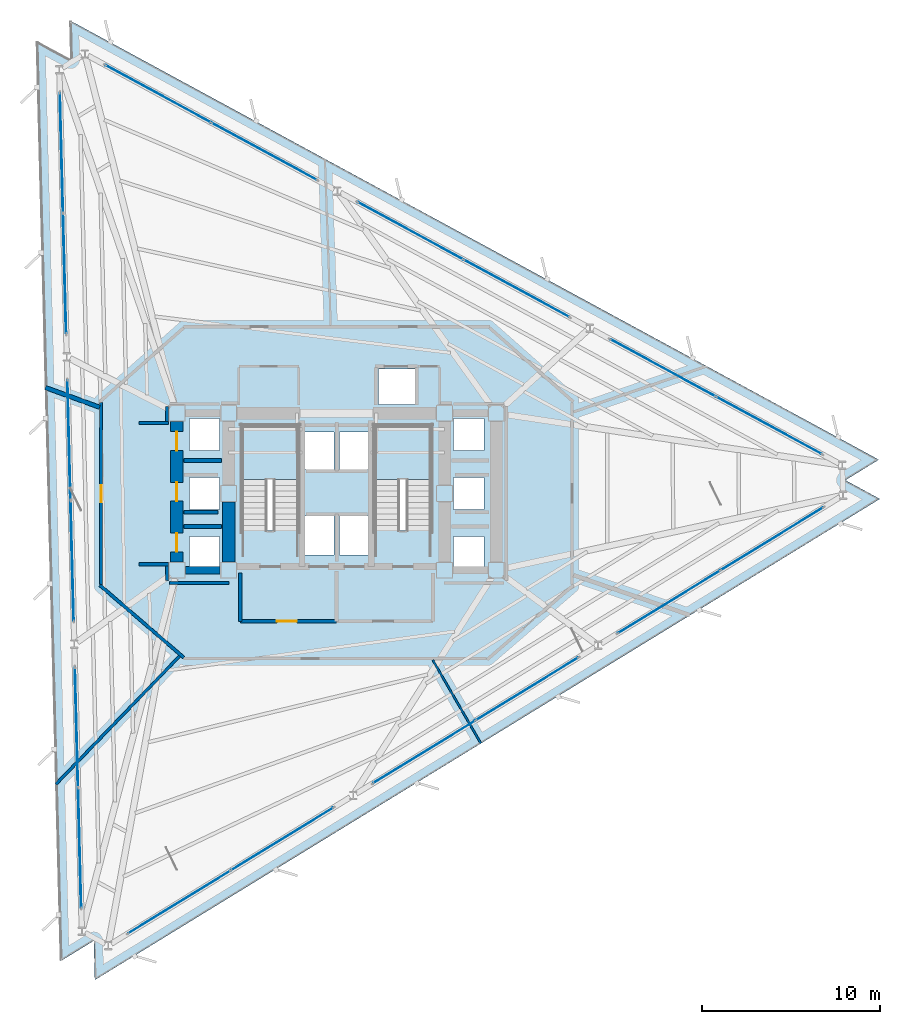
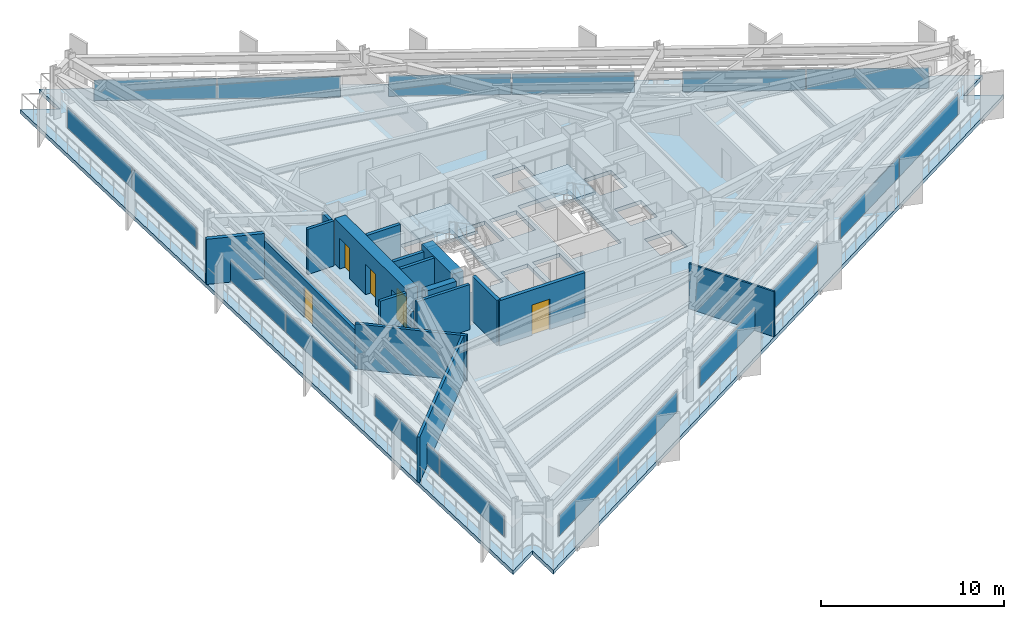
# One storey, part 7 of 14: 18 plates, 18 walls, 5 doors, 3 slabs, 5 openings, 11 elements without a shape of their own.
"""IFC4 building model written with IfcOpenShell, lengths in metres."""

from ifc_helpers import new_model, si_unit, direction, frame, frame_2d, origin, origin_2d, place, context, subcontext, project, spatial, polyline, rectangle, outline, extrude, material, layer, layer_set, type_object, element, fill, aggregate, save


model = new_model("IFC4")

# Units and contexts
model_context = context("Model", 3, precision=1e-05, world=origin(), true_north=direction((0.0, 1.0)))
body_context = subcontext(model_context, "Body", "Model", "MODEL_VIEW")
ifc_project = project(units=[si_unit("LENGTHUNIT", "METRE"), si_unit("AREAUNIT", "SQUARE_METRE"), si_unit("VOLUMEUNIT", "CUBIC_METRE"), si_unit("PLANEANGLEUNIT", "RADIAN"), si_unit("MASSUNIT", "GRAM", prefix="KILO")], contexts=[model_context])

# Site, building, storey
site_placement = place(None, origin())
site = spatial("IfcSite", under=ifc_project, at=site_placement, CompositionType="ELEMENT")
building_placement = place(site_placement, origin())
building = spatial("IfcBuilding", under=site, at=building_placement, Name="Rocaltana Carrier Exchange", CompositionType="ELEMENT")
storey_placement = place(building_placement, frame((0.0, 0.0, 42.39990234375)))
storey = spatial("IfcBuildingStorey", under=building, at=storey_placement, Name="L13", CompositionType="ELEMENT", Elevation=42.39990234375)

# Curtain wall, plates
ifc_material_1 = material(Name="Aluminium 6063-T6", Category="aluminium")
ifc_layer_1 = layer(ifc_material_1, 0.179931640625)
ifc_layer_set_1 = layer_set([ifc_layer_1], Name="Aluminium 6063-T6")
curtain_wall_type = type_object("IfcCurtainWallType", Name="Sandstone Spandrel Unitised Curtain Wall CW-01", PredefinedType="NOTDEFINED", material=ifc_layer_set_1)
curtain_wall_1_placement = place(storey_placement, origin())
curtain_wall_1 = element("IfcCurtainWall", 1, at=curtain_wall_1_placement, inside=storey, type_object=curtain_wall_type, Name="L13 CW-01 Run CW-L13-F1S1", PredefinedType="NOTDEFINED")
ifc_material_2 = material(Name="Tempered Laminated Glass", Category="glass")
ifc_layer_2 = layer(ifc_material_2, 0.0439453125)
ifc_layer_set_2 = layer_set([ifc_layer_2], Name="Tempered Laminated Glass")
plate_type = type_object("IfcPlateType", Name="CW-01 Stone-Insulated Vision Panel", PredefinedType="CURTAIN_PANEL", material=ifc_layer_set_2)
plate_1_placement = place(storey_placement, frame((24.23974609375, 3.8115234375, 0.06494140625), z_axis=(0.0, 0.0, 1.0), x_axis=(-0.878815639636, 0.477161473226, 0.0)))
plate_1 = element("IfcPlate", 2, at=plate_1_placement, type_object=plate_type, Name="CW-01 panel 1.1", PredefinedType="CURTAIN_PANEL", context=body_context, shape_type="SweptSolid", body=[
    extrude(rectangle(XDim=6.702392578125, YDim=0.0439453125, at=origin_2d()), origin(), (0.0, 0.0, 1.0), 1.367919921875),
])
plate_2_placement = place(storey_placement, frame((18.29248046875, 7.04052734375, 0.06494140625), z_axis=(0.0, 0.0, 1.0), x_axis=(-0.878815639636, 0.477161473226, 0.0)))
plate_2 = element("IfcPlate", 3, at=plate_2_placement, type_object=plate_type, Name="CW-01 panel 2.1", PredefinedType="CURTAIN_PANEL", context=body_context, shape_type="SweptSolid", body=[
    extrude(rectangle(XDim=6.702392578125, YDim=0.0439453125, at=origin_2d()), origin(), (0.0, 0.0, 1.0), 1.367919921875),
])
aggregate(curtain_wall_1, [plate_1, plate_2])

curtain_wall_2_placement = place(storey_placement, origin())
curtain_wall_2 = element("IfcCurtainWall", 4, at=curtain_wall_2_placement, inside=storey, type_object=curtain_wall_type, Name="L13 CW-01 Run CW-L13-F1S2", PredefinedType="NOTDEFINED")
plate_3_placement = place(storey_placement, frame((10.0908203125, 11.49365234375, 0.06494140625), z_axis=(0.0, 0.0, 1.0), x_axis=(-0.878814230428, 0.477164068636, 0.0)))
plate_3 = element("IfcPlate", 5, at=plate_3_placement, type_object=plate_type, Name="CW-01 panel 1.1", PredefinedType="CURTAIN_PANEL", context=body_context, shape_type="SweptSolid", body=[
    extrude(rectangle(XDim=6.70263671875, YDim=0.0439453125, at=origin_2d()), origin(), (0.0, 0.0, 1.0), 1.367919921875),
])
plate_4_placement = place(storey_placement, frame((4.1435546875, 14.722900390625, 0.06494140625), z_axis=(0.0, 0.0, 1.0), x_axis=(-0.878814230428, 0.477164068636, 0.0)))
plate_4 = element("IfcPlate", 6, at=plate_4_placement, type_object=plate_type, Name="CW-01 panel 2.1", PredefinedType="CURTAIN_PANEL", context=body_context, shape_type="SweptSolid", body=[
    extrude(rectangle(XDim=6.70263671875, YDim=0.0439453125, at=origin_2d()), origin(), (0.0, 0.0, 1.0), 1.367919921875),
])
aggregate(curtain_wall_2, [plate_3, plate_4])

curtain_wall_3_placement = place(storey_placement, origin())
curtain_wall_3 = element("IfcCurtainWall", 7, at=curtain_wall_3_placement, inside=storey, type_object=curtain_wall_type, Name="L13 CW-01 Run CW-L13-F1S3", PredefinedType="NOTDEFINED")
plate_5_placement = place(storey_placement, frame((-4.05810546875, 19.176025390625, 0.06494140625), z_axis=(0.0, 0.0, 1.0), x_axis=(-0.878818722982, 0.477155794406, 0.0)))
plate_5 = element("IfcPlate", 8, at=plate_5_placement, type_object=plate_type, Name="CW-01 panel 1.1", PredefinedType="CURTAIN_PANEL", context=body_context, shape_type="SweptSolid", body=[
    extrude(rectangle(XDim=6.702392578125, YDim=0.0439453125, at=origin_2d()), origin(), (0.0, 0.0, 1.0), 1.367919921875),
])
plate_6_placement = place(storey_placement, frame((-10.00537109375, 22.405029296875, 0.06494140625), z_axis=(0.0, 0.0, 1.0), x_axis=(-0.878818722982, 0.477155794406, 0.0)))
plate_6 = element("IfcPlate", 9, at=plate_6_placement, type_object=plate_type, Name="CW-01 panel 2.1", PredefinedType="CURTAIN_PANEL", context=body_context, shape_type="SweptSolid", body=[
    extrude(rectangle(XDim=6.702392578125, YDim=0.0439453125, at=origin_2d()), origin(), (0.0, 0.0, 1.0), 1.367919921875),
])
aggregate(curtain_wall_3, [plate_5, plate_6])

curtain_wall_4_placement = place(storey_placement, origin())
curtain_wall_4 = element("IfcCurtainWall", 10, at=curtain_wall_4_placement, inside=storey, type_object=curtain_wall_type, Name="L13 CW-01 Run CW-L13-F2S1", PredefinedType="NOTDEFINED")
plate_7_placement = place(storey_placement, frame((-15.420654296875, 19.086669921875, 0.06494140625), z_axis=(0.0, 0.0, 1.0), x_axis=(0.026183895077, -0.999657143044, 0.0)))
plate_7 = element("IfcPlate", 11, at=plate_7_placement, type_object=plate_type, Name="CW-01 panel 1.1", PredefinedType="CURTAIN_PANEL", context=body_context, shape_type="SweptSolid", body=[
    extrude(rectangle(XDim=6.702392578125, YDim=0.0439453125, at=origin_2d()), origin(), (0.0, 0.0, 1.0), 1.367919921875),
])
plate_8_placement = place(storey_placement, frame((-15.24365234375, 12.321533203125, 0.06494140625), z_axis=(0.0, 0.0, 1.0), x_axis=(0.026183895077, -0.999657143044, 0.0)))
plate_8 = element("IfcPlate", 12, at=plate_8_placement, type_object=plate_type, Name="CW-01 panel 2.1", PredefinedType="CURTAIN_PANEL", context=body_context, shape_type="SweptSolid", body=[
    extrude(rectangle(XDim=6.702392578125, YDim=0.0439453125, at=origin_2d()), origin(), (0.0, 0.0, 1.0), 1.367919921875),
])
aggregate(curtain_wall_4, [plate_7, plate_8])

curtain_wall_5_placement = place(storey_placement, origin())
curtain_wall_5 = element("IfcCurtainWall", 13, at=curtain_wall_5_placement, inside=storey, type_object=curtain_wall_type, Name="L13 CW-01 Run CW-L13-F2S2", PredefinedType="NOTDEFINED")
plate_9_placement = place(storey_placement, frame((-14.999267578125, 2.9921875, 0.06494140625), z_axis=(0.0, 0.0, 1.0), x_axis=(0.026176547142, -0.99965733548, 0.0)))
plate_9 = element("IfcPlate", 14, at=plate_9_placement, type_object=plate_type, Name="CW-01 panel 1.1", PredefinedType="CURTAIN_PANEL", context=body_context, shape_type="SweptSolid", body=[
    extrude(rectangle(XDim=6.702392578125, YDim=0.0439453125, at=origin_2d()), origin(), (0.0, 0.0, 1.0), 1.367919921875),
])
plate_10_placement = place(storey_placement, frame((-14.822021484375, -3.77294921875, 0.06494140625), z_axis=(0.0, 0.0, 1.0), x_axis=(0.026176547142, -0.99965733548, 0.0)))
plate_10 = element("IfcPlate", 15, at=plate_10_placement, type_object=plate_type, Name="CW-01 panel 2.1", PredefinedType="CURTAIN_PANEL", context=body_context, shape_type="SweptSolid", body=[
    extrude(rectangle(XDim=6.702392578125, YDim=0.0439453125, at=origin_2d()), origin(), (0.0, 0.0, 1.0), 1.367919921875),
])
aggregate(curtain_wall_5, [plate_9, plate_10])

curtain_wall_6_placement = place(storey_placement, origin())
curtain_wall_6 = element("IfcCurtainWall", 16, at=curtain_wall_6_placement, inside=storey, type_object=curtain_wall_type, Name="L13 CW-01 Run CW-L13-F2S3", PredefinedType="NOTDEFINED")
plate_11_placement = place(storey_placement, frame((-14.577880859375, -13.102294921875, 0.06494140625), z_axis=(0.0, 0.0, 1.0), x_axis=(0.026183895077, -0.999657143044, 0.0)))
plate_11 = element("IfcPlate", 17, at=plate_11_placement, type_object=plate_type, Name="CW-01 panel 1.1", PredefinedType="CURTAIN_PANEL", context=body_context, shape_type="SweptSolid", body=[
    extrude(rectangle(XDim=6.702392578125, YDim=0.0439453125, at=origin_2d()), origin(), (0.0, 0.0, 1.0), 1.367919921875),
])
plate_12_placement = place(storey_placement, frame((-14.400634765625, -19.867431640625, 0.06494140625), z_axis=(0.0, 0.0, 1.0), x_axis=(0.026183895077, -0.999657143044, 0.0)))
plate_12 = element("IfcPlate", 18, at=plate_12_placement, type_object=plate_type, Name="CW-01 panel 2.1", PredefinedType="CURTAIN_PANEL", context=body_context, shape_type="SweptSolid", body=[
    extrude(rectangle(XDim=6.702392578125, YDim=0.0439453125, at=origin_2d()), origin(), (0.0, 0.0, 1.0), 1.367919921875),
])
aggregate(curtain_wall_6, [plate_11, plate_12])

curtain_wall_7_placement = place(storey_placement, origin())
curtain_wall_7 = element("IfcCurtainWall", 19, at=curtain_wall_7_placement, inside=storey, type_object=curtain_wall_type, Name="L13 CW-01 Run CW-L13-F3S1", PredefinedType="NOTDEFINED")
plate_13_placement = place(storey_placement, frame((-8.819091796875, -22.898193359375, 0.06494140625), z_axis=(0.0, 0.0, 1.0), x_axis=(0.852636123996, 0.522505157925, 0.0)))
plate_13 = element("IfcPlate", 20, at=plate_13_placement, type_object=plate_type, Name="CW-01 panel 1.1", PredefinedType="CURTAIN_PANEL", context=body_context, shape_type="SweptSolid", body=[
    extrude(rectangle(XDim=6.70263671875, YDim=0.0439453125, at=origin_2d()), origin(), (0.0, 0.0, 1.0), 1.367919921875),
])
plate_14_placement = place(storey_placement, frame((-3.048828125, -19.362060546875, 0.06494140625), z_axis=(0.0, 0.0, 1.0), x_axis=(0.852636123996, 0.522505157925, 0.0)))
plate_14 = element("IfcPlate", 21, at=plate_14_placement, type_object=plate_type, Name="CW-01 panel 2.1", PredefinedType="CURTAIN_PANEL", context=body_context, shape_type="SweptSolid", body=[
    extrude(rectangle(XDim=6.70263671875, YDim=0.0439453125, at=origin_2d()), origin(), (0.0, 0.0, 1.0), 1.367919921875),
])
aggregate(curtain_wall_7, [plate_13, plate_14])

curtain_wall_8_placement = place(storey_placement, origin())
curtain_wall_8 = element("IfcCurtainWall", 22, at=curtain_wall_8_placement, inside=storey, type_object=curtain_wall_type, Name="L13 CW-01 Run CW-L13-F3S2", PredefinedType="NOTDEFINED")
plate_15_placement = place(storey_placement, frame((4.908447265625, -14.48583984375, 0.06494140625), z_axis=(0.0, 0.0, 1.0), x_axis=(0.852639399762, 0.522499812415, 0.0)))
plate_15 = element("IfcPlate", 23, at=plate_15_placement, type_object=plate_type, Name="CW-01 panel 1.1", PredefinedType="CURTAIN_PANEL", context=body_context, shape_type="SweptSolid", body=[
    extrude(rectangle(XDim=6.702392578125, YDim=0.0439453125, at=origin_2d()), origin(), (0.0, 0.0, 1.0), 1.367919921875),
])
plate_16_placement = place(storey_placement, frame((10.678466796875, -10.94970703125, 0.06494140625), z_axis=(0.0, 0.0, 1.0), x_axis=(0.852639399762, 0.522499812415, 0.0)))
plate_16 = element("IfcPlate", 24, at=plate_16_placement, type_object=plate_type, Name="CW-01 panel 2.1", PredefinedType="CURTAIN_PANEL", context=body_context, shape_type="SweptSolid", body=[
    extrude(rectangle(XDim=6.702392578125, YDim=0.0439453125, at=origin_2d()), origin(), (0.0, 0.0, 1.0), 1.367919921875),
])
aggregate(curtain_wall_8, [plate_15, plate_16])

curtain_wall_9_placement = place(storey_placement, origin())
curtain_wall_9 = element("IfcCurtainWall", 25, at=curtain_wall_9_placement, inside=storey, type_object=curtain_wall_type, Name="L13 CW-01 Run CW-L13-F3S3", PredefinedType="NOTDEFINED")
plate_17_placement = place(storey_placement, frame((18.6357421875, -6.07373046875, 0.06494140625), z_axis=(0.0, 0.0, 1.0), x_axis=(0.852639399762, 0.522499812415, 0.0)))
plate_17 = element("IfcPlate", 26, at=plate_17_placement, type_object=plate_type, Name="CW-01 panel 1.1", PredefinedType="CURTAIN_PANEL", context=body_context, shape_type="SweptSolid", body=[
    extrude(rectangle(XDim=6.702392578125, YDim=0.0439453125, at=origin_2d()), origin(), (0.0, 0.0, 1.0), 1.367919921875),
])
plate_18_placement = place(storey_placement, frame((24.406005859375, -2.53759765625, 0.06494140625), z_axis=(0.0, 0.0, 1.0), x_axis=(0.852639399762, 0.522499812415, 0.0)))
plate_18 = element("IfcPlate", 27, at=plate_18_placement, type_object=plate_type, Name="CW-01 panel 2.1", PredefinedType="CURTAIN_PANEL", context=body_context, shape_type="SweptSolid", body=[
    extrude(rectangle(XDim=6.702392578125, YDim=0.0439453125, at=origin_2d()), origin(), (0.0, 0.0, 1.0), 1.367919921875),
])
aggregate(curtain_wall_9, [plate_17, plate_18])

# Slab
ifc_material_3 = material(Name="Concrete C60/75", Category="concrete")
ifc_layer_3 = layer(ifc_material_3, 0.260009765625)
ifc_layer_set_3 = layer_set([ifc_layer_3], Name="Concrete C60/75")
slab_type_1 = type_object("IfcSlabType", Name="Low-Zone Tower Slab 260", PredefinedType="FLOOR", material=ifc_layer_set_3)
slab_1_placement = place(storey_placement, frame((0.0, 0.0, -0.260009765625)))
element("IfcSlab", 28, at=slab_1_placement, inside=storey, type_object=slab_type_1, Name="L13 Structural Floor Slab", PredefinedType="FLOOR", context=body_context, shape_type="SweptSolid", body=[
    extrude(outline(polyline([(30.444580078125, -0.30322265625), (28.51123046875, 0.74658203125), (30.38720703125, 1.89599609375), (-14.959716796875, 26.517578125), (-14.902099609375, 24.318115234375), (-16.835693359375, 25.367919921875), (-15.48486328125, -26.21435546875), (-13.609130859375, -25.064697265625), (-13.551513671875, -27.26416015625), (30.444580078125, -0.30322265625)]), holes=[polyline([(-5.300048828125, -2.06005859375), (-2.139892578125, -2.06005859375), (-2.139892578125, 3.800048828125), (-5.300048828125, 3.800048828125), (-5.300048828125, -2.06005859375)]), polyline([(2.139892578125, -2.06005859375), (5.300048828125, -2.06005859375), (5.300048828125, 3.800048828125), (2.139892578125, 3.800048828125), (2.139892578125, -2.06005859375)]), polyline([(-1.85009765625, -3.449951171875), (-0.14990234375, -3.449951171875), (-0.14990234375, -1.25), (-1.85009765625, -1.25), (-1.85009765625, -3.449951171875)]), polyline([(0.14990234375, -3.449951171875), (1.85009765625, -3.449951171875), (1.85009765625, -1.25), (0.14990234375, -1.25), (0.14990234375, -3.449951171875)]), polyline([(2.35009765625, 4.97998046875), (4.39990234375, 4.97998046875), (4.39990234375, 6.97998046875), (2.35009765625, 6.97998046875), (2.35009765625, 4.97998046875)]), polyline([(-1.85009765625, 1.35009765625), (-0.14990234375, 1.35009765625), (-0.14990234375, 3.449951171875), (-1.85009765625, 3.449951171875), (-1.85009765625, 1.35009765625)]), polyline([(0.14990234375, 1.35009765625), (1.85009765625, 1.35009765625), (1.85009765625, 3.449951171875), (0.14990234375, 3.449951171875), (0.14990234375, 1.35009765625)]), polyline([(-8.25, -4.199951171875), (-6.550048828125, -4.199951171875), (-6.550048828125, -2.39990234375), (-8.25, -2.39990234375), (-8.25, -4.199951171875)]), polyline([(-8.25, -0.89990234375), (-6.550048828125, -0.89990234375), (-6.550048828125, 0.89990234375), (-8.25, 0.89990234375), (-8.25, -0.89990234375)]), polyline([(-8.25, 2.39990234375), (-6.550048828125, 2.39990234375), (-6.550048828125, 4.199951171875), (-8.25, 4.199951171875), (-8.25, 2.39990234375)]), polyline([(6.550048828125, -4.199951171875), (8.25, -4.199951171875), (8.25, -2.39990234375), (6.550048828125, -2.39990234375), (6.550048828125, -4.199951171875)]), polyline([(6.550048828125, -0.89990234375), (8.25, -0.89990234375), (8.25, 0.89990234375), (6.550048828125, 0.89990234375), (6.550048828125, -0.89990234375)]), polyline([(6.550048828125, 2.39990234375), (8.25, 2.39990234375), (8.25, 4.199951171875), (6.550048828125, 4.199951171875), (6.550048828125, 2.39990234375)])]), origin(), (0.0, 0.0, 1.0), 0.260009765625),
])

# Stair, slab
ifc_material_4 = material(Name="Precast concrete C45/55", Category="concrete")
stair_type = type_object("IfcStairType", Name="Standard Dog-Leg Stair 160", PredefinedType="HALF_TURN_STAIR", material=ifc_material_4)
stair_1_placement = place(storey_placement, origin())
stair_1 = element("IfcStair", 29, at=stair_1_placement, inside=storey, type_object=stair_type, Name="L13 Core West Exit Stair ST-1", PredefinedType="HALF_TURN_STAIR")
ifc_material_5 = material(Name="Precast concrete C45/55", Category="concrete")
ifc_layer_4 = layer(ifc_material_5, 0.199951171875)
ifc_layer_set_4 = layer_set([ifc_layer_4], Name="Precast concrete C45/55")
slab_type_2 = type_object("IfcSlabType", Name="Precast Stair Half-Landing 200", PredefinedType="LANDING", material=ifc_layer_set_4)
slab_2_placement = place(storey_placement, frame((0.0, 0.0, 1.47998046875)))
slab_2 = element("IfcSlab", 30, at=slab_2_placement, type_object=slab_type_2, Name="ST-1 landing 1", PredefinedType="LANDING", context=body_context, shape_type="SweptSolid", body=[
    extrude(outline(polyline([(-2.139892578125, 0.780029296875), (-2.139892578125, 3.800048828125), (-5.300048828125, 3.800048828125), (-5.300048828125, 0.780029296875), (-2.139892578125, 0.780029296875)])), origin(), (0.0, 0.0, 1.0), 0.2001953125),
])
aggregate(stair_1, [slab_2])

stair_2_placement = place(storey_placement, origin())
stair_2 = element("IfcStair", 31, at=stair_2_placement, inside=storey, type_object=stair_type, Name="L13 Core East Exit Stair ST-2", PredefinedType="HALF_TURN_STAIR")
slab_3_placement = place(storey_placement, frame((0.0, 0.0, 1.47998046875)))
slab_3 = element("IfcSlab", 32, at=slab_3_placement, type_object=slab_type_2, Name="ST-2 landing 1", PredefinedType="LANDING", context=body_context, shape_type="SweptSolid", body=[
    extrude(outline(polyline([(5.300048828125, 0.780029296875), (5.300048828125, 3.800048828125), (2.139892578125, 3.800048828125), (2.139892578125, 0.780029296875), (5.300048828125, 0.780029296875)])), origin(), (0.0, 0.0, 1.0), 0.2001953125),
])
aggregate(stair_2, [slab_3])

# Walls
ifc_material_6 = material(Name="Double Acoustic Gypsum Partition", Category="gypsum")
ifc_layer_5 = layer(ifc_material_6, 0.159912109375)
ifc_layer_set_5 = layer_set([ifc_layer_5], Name="Double Acoustic Gypsum Partition")
wall_type_1 = type_object("IfcWallType", Name="Acoustic Studio Partition 160 EI60", PredefinedType="PARTITIONING", material=ifc_layer_set_5)
wall_1_placement = place(storey_placement, frame((-8.791748046875, -9.104248046875, 0.0), z_axis=(0.0, 0.0, 1.0), x_axis=(-0.694663387969, -0.719334954952, 0.0)))
element("IfcWall", 33, at=wall_1_placement, inside=storey, type_object=wall_type_1, Name="L13 Suite Divider Wall D1", PredefinedType="PARTITIONING", context=body_context, shape_type="SweptSolid", body=[
    extrude(rectangle(XDim=9.99462890625, YDim=0.159912109375, at=frame_2d((4.997314453125, 0.0))), origin(), (0.0, 0.0, 1.0), 3.01318359375),
])
ifc_material_7 = material(Name="Concrete C50/60", Category="concrete")
ifc_layer_6 = layer(ifc_material_7, 0.39990234375)
ifc_layer_set_6 = layer_set([ifc_layer_6], Name="Concrete C50/60")
wall_type_2 = type_object("IfcWallType", Name="Core Internal Shear Wall 400", PredefinedType="SHEAR", material=ifc_layer_set_6)
wall_2_placement = place(storey_placement, frame((-8.47509765625, -4.300048828125, 0.0), z_axis=(0.0, 0.0, 1.0), x_axis=(1.0, 0.0, 0.0)))
element("IfcWall", 34, at=wall_2_placement, inside=storey, type_object=wall_type_2, Name="L13 Core Shear Wall CW-WWS", PredefinedType="SHEAR", context=body_context, shape_type="SweptSolid", body=[
    extrude(rectangle(XDim=1.9501953125, YDim=0.39990234375, at=frame_2d((0.97509765625, 0.0))), origin(), (0.0, 0.0, 1.0), 3.0380859375),
])
ifc_material_8 = material(Name="Concrete C60/75", Category="concrete")
ifc_layer_7 = layer(ifc_material_8, 0.699951171875)
ifc_layer_set_7 = layer_set([ifc_layer_7], Name="Concrete C60/75")
wall_type_3 = type_object("IfcWallType", Name="Core Shear Wall 700", PredefinedType="SHEAR", material=ifc_layer_set_7)
wall_3_placement = place(storey_placement, frame((-6.050048828125, -3.824951171875, 0.0), z_axis=(0.0, 0.0, 1.0), x_axis=(0.0, 1.0, 0.0)))
element("IfcWall", 35, at=wall_3_placement, inside=storey, type_object=wall_type_3, Name="L13 Core Shear Wall CW-WS", PredefinedType="SHEAR", context=body_context, shape_type="SweptSolid", body=[
    extrude(rectangle(XDim=3.349853515625, YDim=0.699951171875, at=frame_2d((1.6748046875, 0.0))), origin(), (0.0, 0.0, 1.0), 3.0380859375),
])

# Wall, openings, doors
wall_4_placement = place(storey_placement, frame((-8.949951171875, -3.824951171875, 0.0), z_axis=(0.0, 0.0, 1.0), x_axis=(0.0, 1.0, 0.0)))
wall_4 = element("IfcWall", 36, at=wall_4_placement, inside=storey, type_object=wall_type_3, Name="L13 Core Shear Wall CW-WW", PredefinedType="SHEAR", context=body_context, shape_type="SweptSolid", body=[
    extrude(rectangle(XDim=7.849853515625, YDim=0.699951171875, at=frame_2d((3.9248046875, 0.0))), origin(), (0.0, 0.0, 1.0), 3.0380859375),
])
opening_1_placement = place(wall_4_placement, frame((0.550048828125, 0.0, 0.0)))
opening_1 = element("IfcOpeningElement", 37, at=opening_1_placement, cuts=wall_4, Name="Opening LD-110", PredefinedType="OPENING", context=body_context, shape_type="SweptSolid", body=[
    extrude(rectangle(XDim=1.06005859375, YDim=2.0400390625, at=frame_2d((0.530029296875, 1.02001953125))), frame((0.0, 0.35986328125, 0.0), z_axis=(0.0, -1.0, 0.0), x_axis=(1.0, 0.0, 0.0)), (0.0, 0.0, 1.0), 0.719970703125),
])
opening_2_placement = place(wall_4_placement, frame((3.39501953125, 0.0, 0.0)))
opening_2 = element("IfcOpeningElement", 38, at=opening_2_placement, cuts=wall_4, Name="Opening LD-110", PredefinedType="OPENING", context=body_context, shape_type="SweptSolid", body=[
    extrude(rectangle(XDim=1.06005859375, YDim=2.0400390625, at=frame_2d((0.530029296875, 1.02001953125))), frame((0.0, 0.35986328125, 0.0), z_axis=(0.0, -1.0, 0.0), x_axis=(1.0, 0.0, 0.0)), (0.0, 0.0, 1.0), 0.719970703125),
])
opening_3_placement = place(wall_4_placement, frame((6.22998046875, 0.0, 0.0)))
opening_3 = element("IfcOpeningElement", 39, at=opening_3_placement, cuts=wall_4, Name="Opening LD-110", PredefinedType="OPENING", context=body_context, shape_type="SweptSolid", body=[
    extrude(rectangle(XDim=1.06005859375, YDim=2.0400390625, at=frame_2d((0.530029296875, 1.02001953125))), frame((0.0, 0.35986328125, 0.0), z_axis=(0.0, -1.0, 0.0), x_axis=(1.0, 0.0, 0.0)), (0.0, 0.0, 1.0), 0.719970703125),
])
ifc_material_9 = material(Name="Brushed Stainless Sliding Door Leaf", Category="steel")
door_type_1 = type_object("IfcDoorType", Name="Lift Landing Sliding Door 1060x2040", OperationType="NOTDEFINED", PredefinedType="DOOR", material=ifc_material_9)
door_1_placement = place(opening_1_placement, origin())
door_1 = element("IfcDoor", 40, at=door_1_placement, inside=storey, type_object=door_type_1, Name="L13 Low-Rise Lift PL-L1 Landing Door", OperationType="SLIDING_TO_LEFT", OverallHeight=2.0400390625, OverallWidth=1.06005859375, PredefinedType="DOOR", context=body_context, shape_type="SweptSolid", body=[
    extrude(rectangle(XDim=1.06005859375, YDim=2.0400390625, at=frame_2d((0.530029296875, 1.02001953125))), frame((0.0, 0.02490234375, 0.0), z_axis=(0.0, -1.0, 0.0), x_axis=(1.0, 0.0, 0.0)), (0.0, 0.0, 1.0), 0.050048828125),
])
fill(opening_1, door_1)
door_2_placement = place(opening_2_placement, origin())
door_2 = element("IfcDoor", 41, at=door_2_placement, inside=storey, type_object=door_type_1, Name="L13 Low-Rise Lift PL-L2 Landing Door", OperationType="SLIDING_TO_RIGHT", OverallHeight=2.0400390625, OverallWidth=1.06005859375, PredefinedType="DOOR", context=body_context, shape_type="SweptSolid", body=[
    extrude(rectangle(XDim=1.06005859375, YDim=2.0400390625, at=frame_2d((0.530029296875, 1.02001953125))), frame((0.0, 0.02490234375, 0.0), z_axis=(0.0, -1.0, 0.0), x_axis=(1.0, 0.0, 0.0)), (0.0, 0.0, 1.0), 0.050048828125),
])
fill(opening_2, door_2)
door_3_placement = place(opening_3_placement, origin())
door_3 = element("IfcDoor", 42, at=door_3_placement, inside=storey, type_object=door_type_1, Name="L13 Low-Rise Lift PL-L3 Landing Door", OperationType="SLIDING_TO_LEFT", OverallHeight=2.0400390625, OverallWidth=1.06005859375, PredefinedType="DOOR", context=body_context, shape_type="SweptSolid", body=[
    extrude(rectangle(XDim=1.06005859375, YDim=2.0400390625, at=frame_2d((0.530029296875, 1.02001953125))), frame((0.0, 0.02490234375, 0.0), z_axis=(0.0, -1.0, 0.0), x_axis=(1.0, 0.0, 0.0)), (0.0, 0.0, 1.0), 0.050048828125),
])
fill(opening_3, door_3)

# Wall
ifc_material_10 = material(Name="Gypsum & Steel Stud Partition", Category="steel")
ifc_layer_8 = layer(ifc_material_10, 0.179931640625)
ifc_layer_set_8 = layer_set([ifc_layer_8], Name="Gypsum & Steel Stud Partition")
wall_type_4 = type_object("IfcWallType", Name="Corridor Fire Partition 180 EI60", PredefinedType="PARTITIONING", material=ifc_layer_set_8)
wall_5_placement = place(storey_placement, frame((-8.568115234375, -9.191162109375, 0.0), z_axis=(0.0, 0.0, 1.0), x_axis=(-0.757556899173, 0.652769135694, 0.0)))
element("IfcWall", 43, at=wall_5_placement, inside=storey, type_object=wall_type_4, Name="L13 Corridor Partition 6", PredefinedType="PARTITIONING", context=body_context, shape_type="SweptSolid", body=[
    extrude(rectangle(XDim=6.204345703125, YDim=0.179931640625, at=frame_2d((3.10205078125, 0.0))), origin(), (0.0, 0.0, 1.0), 3.01318359375),
])

# Wall, opening, door
wall_6_placement = place(storey_placement, frame((-13.199951171875, -5.110107421875, 0.0), z_axis=(0.0, 0.0, 1.0), x_axis=(0.0, 1.0, 0.0)))
wall_6 = element("IfcWall", 44, at=wall_6_placement, inside=storey, type_object=wall_type_4, Name="L13 Corridor Partition 7", PredefinedType="PARTITIONING", context=body_context, shape_type="SweptSolid", body=[
    extrude(rectangle(XDim=10.22021484375, YDim=0.179931640625, at=frame_2d((5.110107421875, 0.0))), origin(), (0.0, 0.0, 1.0), 2.527099609375),
])
opening_4_placement = place(wall_6_placement, frame((4.620849609375, 0.0, 0.0)))
opening_4 = element("IfcOpeningElement", 45, at=opening_4_placement, cuts=wall_6, Name="Opening D-RM098", PredefinedType="OPENING", context=body_context, shape_type="SweptSolid", body=[
    extrude(rectangle(XDim=0.9599609375, YDim=2.02001953125, at=frame_2d((0.47998046875, 1.010009765625))), frame((0.0, 0.099853515625, 0.0), z_axis=(0.0, -1.0, 0.0), x_axis=(1.0, 0.0, 0.0)), (0.0, 0.0, 1.0), 0.199951171875),
])
ifc_material_11 = material(Name="Engineered Hardwood Timber", Category="wood")
door_type_2 = type_object("IfcDoorType", Name="Workspace Single Door 960x2020", OperationType="NOTDEFINED", PredefinedType="DOOR", material=ifc_material_11)
door_4_placement = place(opening_4_placement, origin())
door_4 = element("IfcDoor", 46, at=door_4_placement, inside=storey, type_object=door_type_2, Name="L13 Quiet Focus Lounge Entrance Door", OperationType="SINGLE_SWING_RIGHT", OverallHeight=2.02001953125, OverallWidth=0.9599609375, PredefinedType="DOOR", context=body_context, shape_type="SweptSolid", body=[
    extrude(rectangle(XDim=0.9599609375, YDim=2.02001953125, at=frame_2d((0.47998046875, 1.010009765625))), frame((0.0, 0.02490234375, 0.0), z_axis=(0.0, -1.0, 0.0), x_axis=(1.0, 0.0, 0.0)), (0.0, 0.0, 1.0), 0.050048828125),
])
fill(opening_4, door_4)

# Walls
wall_7_placement = place(storey_placement, frame((-9.510009765625, 4.8701171875, 0.0), z_axis=(0.0, 0.0, 1.0), x_axis=(0.0, -1.0, 0.0)))
element("IfcWall", 47, at=wall_7_placement, inside=storey, type_object=wall_type_4, Name="L13 Corridor Partition 9", PredefinedType="PARTITIONING", context=body_context, shape_type="SweptSolid", body=[
    extrude(rectangle(XDim=0.820068359375, YDim=0.179931640625, at=frame_2d((0.41015625, 0.0))), origin(), (0.0, 0.0, 1.0), 3.01318359375),
])
for number, where, z_axis, x_axis, name in (
    (48, (-9.419921875, 3.9599609375, 0.0), (0.0, 0.0, 1.0), (-1.0, 0.0, 0.0), "L13 Corridor Partition 10"),
    (49, (-11.070068359375, -3.9599609375, 0.0), (0.0, 0.0, 1.0), (1.0, 0.0, 0.0), "L13 Corridor Partition 11"),
):
    element("IfcWall", number, at=place(storey_placement, frame(where, z_axis=z_axis, x_axis=x_axis)), inside=storey, type_object=wall_type_4, Name=name, PredefinedType="PARTITIONING", context=body_context, shape_type="SweptSolid", body=[
        extrude(rectangle(XDim=1.650146484375, YDim=0.179931640625, at=frame_2d((0.8251953125, 0.0))), origin(), (0.0, 0.0, 1.0), 3.01318359375),
    ])
wall_8_placement = place(storey_placement, frame((-9.510009765625, -4.050048828125, 0.0), z_axis=(0.0, 0.0, 1.0), x_axis=(0.0, -1.0, 0.0)))
element("IfcWall", 50, at=wall_8_placement, inside=storey, type_object=wall_type_4, Name="L13 Corridor Partition 12", PredefinedType="PARTITIONING", context=body_context, shape_type="SweptSolid", body=[
    extrude(rectangle(XDim=0.820068359375, YDim=0.179931640625, at=frame_2d((0.41015625, 0.0))), origin(), (0.0, 0.0, 1.0), 2.298095703125),
])
wall_9_placement = place(storey_placement, frame((-9.3701171875, -5.010009765625, 0.0), z_axis=(0.0, 0.0, 1.0), x_axis=(1.0, 0.0, 0.0)))
element("IfcWall", 51, at=wall_9_placement, inside=storey, type_object=wall_type_4, Name="L13 Corridor Partition 13", PredefinedType="PARTITIONING", context=body_context, shape_type="SweptSolid", body=[
    extrude(rectangle(XDim=3.340087890625, YDim=0.179931640625, at=frame_2d((1.669921875, 0.0))), origin(), (0.0, 0.0, 1.0), 3.01318359375),
])
ifc_material_12 = material(Name="Aluminium 6063-T6 & Acoustic Glass", Category="aluminium")
ifc_layer_9 = layer(ifc_material_12, 0.114990234375)
ifc_layer_set_9 = layer_set([ifc_layer_9], Name="Aluminium 6063-T6 & Acoustic Glass")
wall_type_5 = type_object("IfcWallType", Name="Demountable Glazed Lab Partition 115", PredefinedType="MOVABLE", material=ifc_layer_set_9)
wall_10_placement = place(storey_placement, frame((5.38671875, -9.330078125, 0.0), z_axis=(0.0, 0.0, 1.0), x_axis=(0.500023165436, -0.866012028801, 0.0)))
element("IfcWall", 52, at=wall_10_placement, inside=storey, type_object=wall_type_5, Name="L13 Suite Divider Wall D2", PredefinedType="MOVABLE", context=body_context, shape_type="SweptSolid", body=[
    extrude(rectangle(XDim=5.387939453125, YDim=0.114990234375, at=frame_2d((2.69384765625, 0.0))), origin(), (0.0, 0.0, 1.0), 3.01318359375),
])
ifc_material_13 = material(Name="Autoclaved Aerated Concrete C30/37", Category="concrete")
ifc_layer_10 = layer(ifc_material_13, 0.219970703125)
ifc_layer_set_10 = layer_set([ifc_layer_10], Name="Autoclaved Aerated Concrete C30/37")
wall_type_6 = type_object("IfcWallType", Name="Firefighting Lobby Wall 220 EI120", PredefinedType="PARTITIONING", material=ifc_layer_set_10)
wall_11_placement = place(storey_placement, frame((-5.39990234375, -7.159912109375, 0.0), z_axis=(0.0, 0.0, 1.0), x_axis=(0.0, 1.0, 0.0)))
element("IfcWall", 53, at=wall_11_placement, inside=storey, type_object=wall_type_6, Name="L13 FFL Lobby 1 West Wall", PredefinedType="PARTITIONING", context=body_context, shape_type="SweptSolid", body=[
    extrude(rectangle(XDim=2.7099609375, YDim=0.219970703125, at=frame_2d((1.35498046875, 0.0))), origin(), (0.0, 0.0, 1.0), 3.01318359375),
])

# Wall, opening, door
wall_12_placement = place(storey_placement, frame((-5.39990234375, -7.159912109375, 0.0), z_axis=(0.0, 0.0, 1.0), x_axis=(1.0, 0.0, 0.0)))
wall_12 = element("IfcWall", 54, at=wall_12_placement, inside=storey, type_object=wall_type_6, Name="L13 FFL Lobby 1 South Wall", PredefinedType="PARTITIONING", context=body_context, shape_type="SweptSolid", body=[
    extrude(rectangle(XDim=5.39990234375, YDim=0.219970703125, at=frame_2d((2.699951171875, 0.0))), origin(), (0.0, 0.0, 1.0), 3.01318359375),
])
opening_5_placement = place(wall_12_placement, frame((2.050048828125, 0.0, 0.0)))
opening_5 = element("IfcOpeningElement", 55, at=opening_5_placement, cuts=wall_12, Name="Opening D-FF115", PredefinedType="OPENING", context=body_context, shape_type="SweptSolid", body=[
    extrude(rectangle(XDim=1.1201171875, YDim=2.02001953125, at=frame_2d((0.56005859375, 1.010009765625))), frame((0.0, 0.119873046875, 0.0), z_axis=(0.0, -1.0, 0.0), x_axis=(1.0, 0.0, 0.0)), (0.0, 0.0, 1.0), 0.239990234375),
])
ifc_material_14 = material(Name="Hollow Metal Fire Door Assembly", Category="steel")
door_type_3 = type_object("IfcDoorType", Name="Firefighting Lobby Door 1120x2020 FD60S", OperationType="NOTDEFINED", PredefinedType="DOOR", material=ifc_material_14)
door_5_placement = place(opening_5_placement, origin())
door_5 = element("IfcDoor", 56, at=door_5_placement, inside=storey, type_object=door_type_3, Name="L13 Firefighting Lift Lobby 1 Door", OperationType="SINGLE_SWING_RIGHT", OverallHeight=2.02001953125, OverallWidth=1.1201171875, PredefinedType="DOOR", context=body_context, shape_type="SweptSolid", body=[
    extrude(rectangle(XDim=1.1201171875, YDim=2.02001953125, at=frame_2d((0.56005859375, 1.010009765625))), frame((0.0, 0.02490234375, 0.0), z_axis=(0.0, -1.0, 0.0), x_axis=(1.0, 0.0, 0.0)), (0.0, 0.0, 1.0), 0.050048828125),
])
fill(opening_5, door_5)

# Walls
ifc_material_15 = material(Name="Acoustic Calcium Silicate Partition", Category="gypsum")
ifc_layer_11 = layer(ifc_material_15, 0.239990234375)
ifc_layer_set_11 = layer_set([ifc_layer_11], Name="Acoustic Calcium Silicate Partition")
wall_type_7 = type_object("IfcWallType", Name="Heavy Lab Partition 240 EI90", PredefinedType="PARTITIONING", material=ifc_layer_set_11)
wall_13_placement = place(storey_placement, frame((-13.280029296875, 4.83349609375, 0.0), z_axis=(0.0, 0.0, 1.0), x_axis=(-0.939702957278, 0.341991742712, 0.0)))
element("IfcWall", 57, at=wall_13_placement, inside=storey, type_object=wall_type_7, Name="L13 Suite Divider Wall D6", PredefinedType="PARTITIONING", context=body_context, shape_type="SweptSolid", body=[
    extrude(rectangle(XDim=3.231689453125, YDim=0.239990234375, at=frame_2d((1.61572265625, 0.0))), origin(), (0.0, 0.0, 1.0), 3.01318359375),
])
ifc_material_16 = material(Name="Reinforced Concrete Block C35/45", Category="concrete")
ifc_layer_12 = layer(ifc_material_16, 0.199951171875)
ifc_layer_set_12 = layer_set([ifc_layer_12], Name="Reinforced Concrete Block C35/45")
wall_type_8 = type_object("IfcWallType", Name="Lift Hoistway Enclosure Wall 200 EI120", PredefinedType="PARTITIONING", material=ifc_layer_set_12)
for number, where, z_axis, x_axis, name in (
    (58, (-8.550048828125, -1.85009765625, 0.0), (0.0, 0.0, 1.0), (1.0, 0.0, 0.0), "L13 Low-Rise Shaft Divider 1"),
    (59, (-8.550048828125, 1.85009765625, 0.0), (0.0, 0.0, 1.0), (1.0, 0.0, 0.0), "L13 Low-Rise Shaft Divider 2"),
):
    element("IfcWall", number, at=place(storey_placement, frame(where, z_axis=z_axis, x_axis=x_axis)), inside=storey, type_object=wall_type_8, Name=name, PredefinedType="PARTITIONING", context=body_context, shape_type="SweptSolid", body=[
        extrude(rectangle(XDim=2.10009765625, YDim=0.199951171875, at=frame_2d((1.050048828125, 0.0))), origin(), (0.0, 0.0, 1.0), 3.01318359375),
    ])
wall_14_placement = place(storey_placement, frame((-8.550048828125, -1.050048828125, 0.0), z_axis=(0.0, 0.0, 1.0), x_axis=(1.0, 0.0, 0.0)))
element("IfcWall", 60, at=wall_14_placement, inside=storey, type_object=wall_type_8, Name="L13 Low-Rise Center Shaft Wall South", PredefinedType="PARTITIONING", context=body_context, shape_type="SweptSolid", body=[
    extrude(rectangle(XDim=1.91015625, YDim=0.199951171875, at=frame_2d((0.955078125, 0.0))), origin(), (0.0, 0.0, 1.0), 3.01318359375),
])

save(model, "model.ifc")
